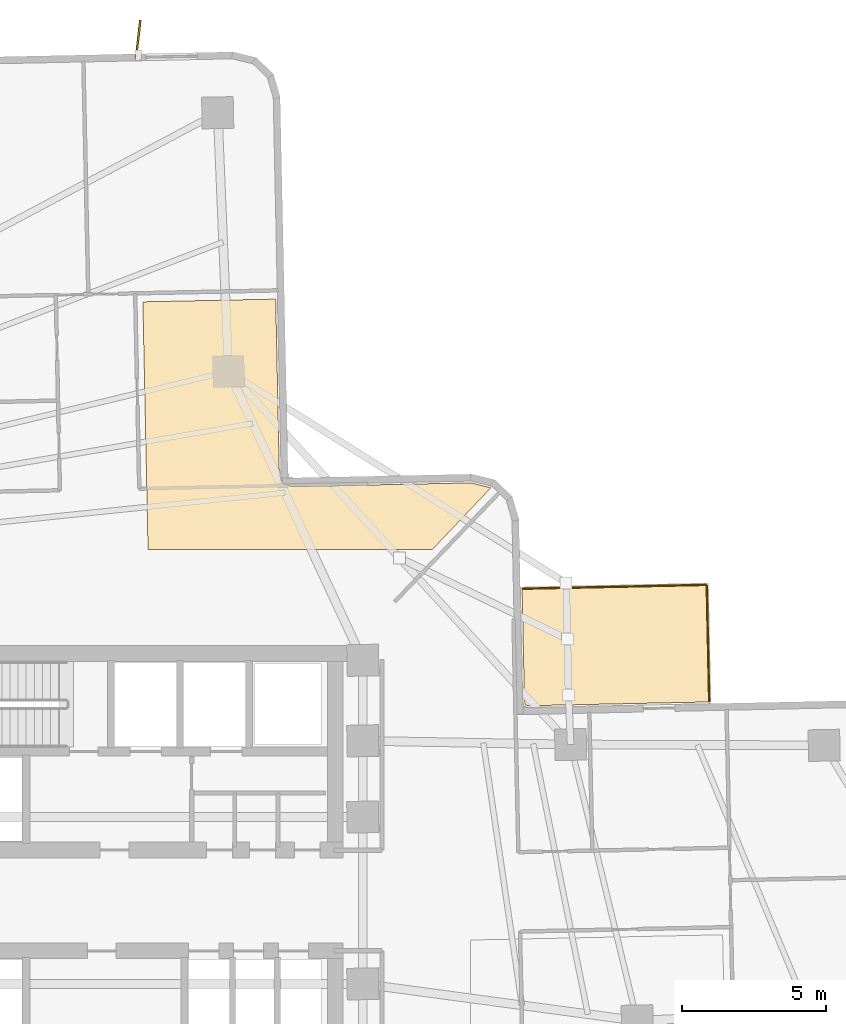
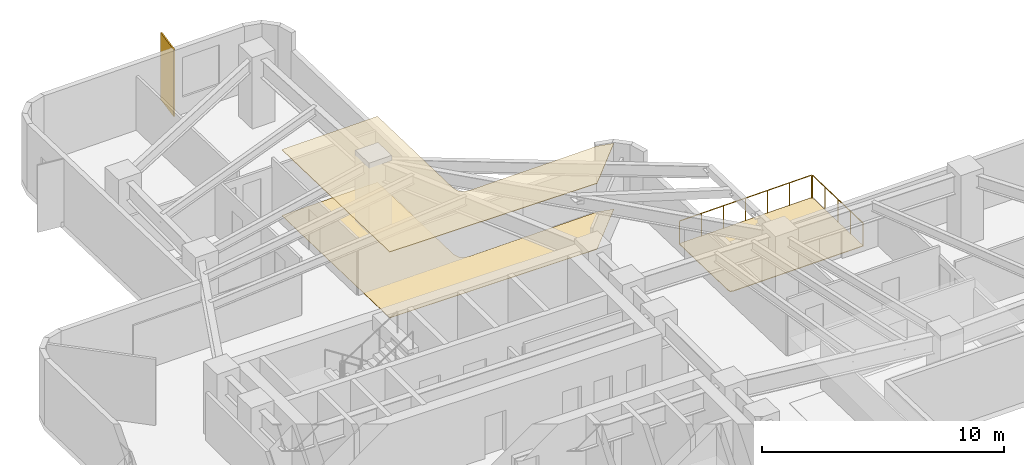
# One storey, part 10 of 10: 3 coverings, 2 railings, 1 shading device.
"""IFC4 building model written with IfcOpenShell, lengths in metres."""

from ifc_helpers import new_model, si_unit, direction, frame, origin, origin_2d, place, context, subcontext, project, spatial, polyline, rectangle, circle, outline, extrude, material, layer, layer_set, type_object, element, save


model = new_model("IFC4")

# Units and contexts
model_context = context("Model", 3, precision=1e-05, world=origin(), true_north=direction((0.0, 1.0)))
body_context = subcontext(model_context, "Body", "Model", "MODEL_VIEW")
ifc_project = project(units=[si_unit("LENGTHUNIT", "METRE"), si_unit("AREAUNIT", "SQUARE_METRE"), si_unit("VOLUMEUNIT", "CUBIC_METRE"), si_unit("PLANEANGLEUNIT", "RADIAN"), si_unit("MASSUNIT", "GRAM", prefix="KILO")], contexts=[model_context])

# Site, building, storey
site_placement = place(None, origin())
site = spatial("IfcSite", under=ifc_project, at=site_placement, CompositionType="ELEMENT")
building_placement = place(site_placement, origin())
building = spatial("IfcBuilding", under=site, at=building_placement, Name="Solmarez Civic Tower", CompositionType="ELEMENT")
storey_placement = place(building_placement, frame((0.0, 0.0, 35.280029296875)))
storey = spatial("IfcBuildingStorey", under=building, at=storey_placement, Name="L08", CompositionType="ELEMENT", Elevation=35.280029296875)

# Coverings
ifc_material_1 = material(Name="Perforated Mineral-Fibre Acoustic Ceiling")
ifc_layer_1 = layer(ifc_material_1, 0.02490234375)
ifc_layer_set_1 = layer_set([ifc_layer_1], Name="Perforated Mineral-Fibre Acoustic Ceiling")
covering_type_1 = type_object("IfcCoveringType", Name="COV-CEIL-ACOUSTIC", PredefinedType="CEILING", material=ifc_layer_set_1)
covering_1_placement = place(storey_placement, frame((0.0, 0.0, 3.31494140625)))
element("IfcCovering", 1, at=covering_1_placement, inside=storey, type_object=covering_type_1, Name="L08 Suspended Acoustic Ceiling 2", PredefinedType="CEILING", context=body_context, shape_type="SweptSolid", body=[
    extrude(outline(polyline([(1.385009765625, 12.199951171875), (11.26806640625, 12.199951171875), (13.302001953125, 14.343994140625), (13.297119140625, 14.347900390625), (12.610107421875, 14.51708984375), (6.466064453125, 14.388916015625), (6.458984375, 14.388916015625), (6.427978515625, 14.39111328125), (6.4208984375, 14.39208984375), (6.4140625, 14.39306640625), (6.39306640625, 14.39697265625), (6.22607421875, 14.43798828125), (6.218017578125, 14.43994140625), (6.2109375, 14.44189453125), (6.18408203125, 14.451904296875), (6.177001953125, 14.455078125), (6.169921875, 14.4580078125), (6.15087890625, 14.467041015625), (6.133056640625, 14.47802734375), (6.115966796875, 14.490966796875), (6.10595703125, 14.4990234375), (6.089111328125, 14.512939453125), (6.0830078125, 14.51904296875), (6.077880859375, 14.52392578125), (6.06494140625, 14.5390625), (6.052978515625, 14.553955078125), (6.0419921875, 14.572021484375), (6.032958984375, 14.587890625), (6.02392578125, 14.60595703125), (6.02099609375, 14.613037109375), (6.010986328125, 14.639892578125), (6.010009765625, 14.64599609375), (5.9609375, 14.81201171875), (5.958984375, 14.819091796875), (5.952880859375, 14.847900390625), (5.951904296875, 14.85498046875), (5.950927734375, 14.862060546875), (5.948974609375, 14.887939453125), (5.823974609375, 20.906005859375), (1.205078125, 20.81005859375), (1.385009765625, 12.199951171875)])), origin(), (0.0, 0.0, 1.0), 0.025146484375),
])
ifc_material_2 = material(Name="Polished Tropical Stone Terrazzo Flooring", Category="masonry")
ifc_layer_2 = layer(ifc_material_2, 0.02001953125)
ifc_layer_set_2 = layer_set([ifc_layer_2], Name="Polished Tropical Stone Terrazzo Flooring")
covering_type_2 = type_object("IfcCoveringType", Name="COV-FLOOR-TERRAZZO", PredefinedType="FLOORING", material=ifc_layer_set_2)
covering_2_placement = place(storey_placement, origin())
element("IfcCovering", 2, at=covering_2_placement, inside=storey, type_object=covering_type_2, Name="L08 Terrazzo Floor Finish 2", PredefinedType="FLOORING", context=body_context, shape_type="SweptSolid", body=[
    extrude(outline(polyline([(1.385009765625, 12.199951171875), (11.26806640625, 12.199951171875), (13.302001953125, 14.343994140625), (13.297119140625, 14.347900390625), (12.610107421875, 14.51708984375), (6.466064453125, 14.388916015625), (6.458984375, 14.388916015625), (6.427978515625, 14.39111328125), (6.4208984375, 14.39208984375), (6.4140625, 14.39306640625), (6.39306640625, 14.39697265625), (6.22607421875, 14.43798828125), (6.218017578125, 14.43994140625), (6.2109375, 14.44189453125), (6.18408203125, 14.451904296875), (6.177001953125, 14.455078125), (6.169921875, 14.4580078125), (6.15087890625, 14.467041015625), (6.133056640625, 14.47802734375), (6.115966796875, 14.490966796875), (6.10595703125, 14.4990234375), (6.089111328125, 14.512939453125), (6.0830078125, 14.51904296875), (6.077880859375, 14.52392578125), (6.06494140625, 14.5390625), (6.052978515625, 14.553955078125), (6.0419921875, 14.572021484375), (6.032958984375, 14.587890625), (6.02392578125, 14.60595703125), (6.02099609375, 14.613037109375), (6.010986328125, 14.639892578125), (6.010009765625, 14.64599609375), (5.9609375, 14.81201171875), (5.958984375, 14.819091796875), (5.952880859375, 14.847900390625), (5.951904296875, 14.85498046875), (5.950927734375, 14.862060546875), (5.948974609375, 14.887939453125), (5.823974609375, 20.906005859375), (1.205078125, 20.81005859375), (1.385009765625, 12.199951171875)])), origin(), (0.0, 0.0, 1.0), 0.02001953125),
])
ifc_material_3 = material(Name="Elastomeric Terrace Waterproofing Membrane")
ifc_layer_3 = layer(ifc_material_3, 0.030029296875)
ifc_layer_set_3 = layer_set([ifc_layer_3], Name="Elastomeric Terrace Waterproofing Membrane")
covering_type_3 = type_object("IfcCoveringType", Name="COV-MEMBRANE-ROOF", PredefinedType="ROOFING", material=ifc_layer_set_3)
covering_3_placement = place(storey_placement, origin())
element("IfcCovering", 3, at=covering_3_placement, inside=storey, type_object=covering_type_3, Name="L08 Balcony Waterproofing NE", PredefinedType="ROOFING", context=body_context, shape_type="SweptSolid", body=[
    extrude(outline(polyline([(14.469970703125, 6.923095703125), (14.506103515625, 6.800048828125), (14.631103515625, 6.77001953125), (20.89990234375, 6.90087890625), (20.81396484375, 10.97900390625), (14.387939453125, 10.843017578125), (14.469970703125, 6.923095703125)])), origin(), (0.0, 0.0, 1.0), 0.030029296875),
])

# Shading device
ifc_material_4 = material(Name="Bronze Anodised Aluminium EN AW-6063 T6", Category="aluminium")
ifc_layer_4 = layer(ifc_material_4, 0.06494140625)
ifc_layer_set_4 = layer_set([ifc_layer_4], Name="Bronze Anodised Aluminium EN AW-6063 T6")
shading_device_type = type_object("IfcShadingDeviceType", Name="FIN-BRONZE-Z12", PredefinedType="USERDEFINED", material=ifc_layer_set_4)
shading_device_placement = place(storey_placement, frame((1.041015625, 29.93310546875, -0.0400390625), z_axis=(0.0, 0.0, 1.0), x_axis=(0.11304714247, 0.993589625338, 0.0)))
element("IfcShadingDevice", 4, at=shading_device_placement, inside=storey, type_object=shading_device_type, Name="L08 Anodised Bronze Solar Fin FIN-L08-04", ObjectType="FIN", PredefinedType="USERDEFINED", context=body_context, shape_type="SweptSolid", body=[
    extrude(rectangle(XDim=1.35009765625, YDim=0.06494140625, at=origin_2d()), origin(), (0.0, 0.0, 1.0), 3.3798828125),
])

# Railings
ifc_material_5 = material(Name="Bronze Anodised Aluminium and Laminated Safety Glass Balustrade", Category="aluminium")
railing_type = type_object("IfcRailingType", Name="GUARD-TERR-1180", PredefinedType="BALUSTRADE", material=ifc_material_5)
railing_1_placement = place(storey_placement, frame((20.89892578125, 6.93603515625, 0.0)))
element("IfcRailing", 5, at=railing_1_placement, inside=storey, type_object=railing_type, Name="L08 Safety Balustrade GRD-BALC-L08-NE-1", PredefinedType="BALUSTRADE", context=body_context, shape_type="SweptSolid", body=[
    extrude(circle(Radius=0.02392578125, at=origin_2d()), frame((0.0, 0.0, 1.15576171875), z_axis=(-0.020949290711, 0.999780539528, 0.0), x_axis=(-0.999780539528, -0.020949290711, 0.0)), (0.0, 0.0, 1.0), 4.009033203125),
    extrude(circle(Radius=0.02099609375, at=origin_2d()), origin(), (0.0, 0.0, 1.0), 1.1318359375),
    extrude(circle(Radius=0.02099609375, at=origin_2d()), frame((-0.02099609375, 1.001953125, 0.0)), (0.0, 0.0, 1.0), 1.1318359375),
    extrude(circle(Radius=0.02099609375, at=origin_2d()), frame((-0.0419921875, 2.00390625, 0.0)), (0.0, 0.0, 1.0), 1.1318359375),
    extrude(circle(Radius=0.02099609375, at=origin_2d()), frame((-0.06298828125, 3.006103515625, 0.0)), (0.0, 0.0, 1.0), 1.1318359375),
    extrude(circle(Radius=0.02099609375, at=origin_2d()), frame((-0.083984375, 4.008056640625, 0.0)), (0.0, 0.0, 1.0), 1.1318359375),
])
railing_2_placement = place(storey_placement, frame((20.779052734375, 10.97802734375, 0.0)))
element("IfcRailing", 6, at=railing_2_placement, inside=storey, type_object=railing_type, Name="L08 Safety Balustrade GRD-BALC-L08-NE-2", PredefinedType="BALUSTRADE", context=body_context, shape_type="SweptSolid", body=[
    extrude(circle(Radius=0.02392578125, at=origin_2d()), frame((0.0, 0.0, 1.15576171875), z_axis=(-0.999777726302, -0.021083120986, 0.0), x_axis=(0.021083120986, -0.999777726302, 0.0)), (0.0, 0.0, 1.0), 6.357421875),
    extrude(circle(Radius=0.02099609375, at=origin_2d()), origin(), (0.0, 0.0, 1.0), 1.1318359375),
    extrude(circle(Radius=0.02099609375, at=origin_2d()), frame((-1.059326171875, -0.0224609375, 0.0)), (0.0, 0.0, 1.0), 1.1318359375),
    extrude(circle(Radius=0.02099609375, at=origin_2d()), frame((-2.11865234375, -0.044677734375, 0.0)), (0.0, 0.0, 1.0), 1.1318359375),
    extrude(circle(Radius=0.02099609375, at=origin_2d()), frame((-3.177978515625, -0.06689453125, 0.0)), (0.0, 0.0, 1.0), 1.1318359375),
    extrude(circle(Radius=0.02099609375, at=origin_2d()), frame((-4.2373046875, -0.08935546875, 0.0)), (0.0, 0.0, 1.0), 1.1318359375),
    extrude(circle(Radius=0.02099609375, at=origin_2d()), frame((-5.296630859375, -0.11181640625, 0.0)), (0.0, 0.0, 1.0), 1.1318359375),
    extrude(circle(Radius=0.02099609375, at=origin_2d()), frame((-6.35595703125, -0.134033203125, 0.0)), (0.0, 0.0, 1.0), 1.1318359375),
])

save(model, "model.ifc")
